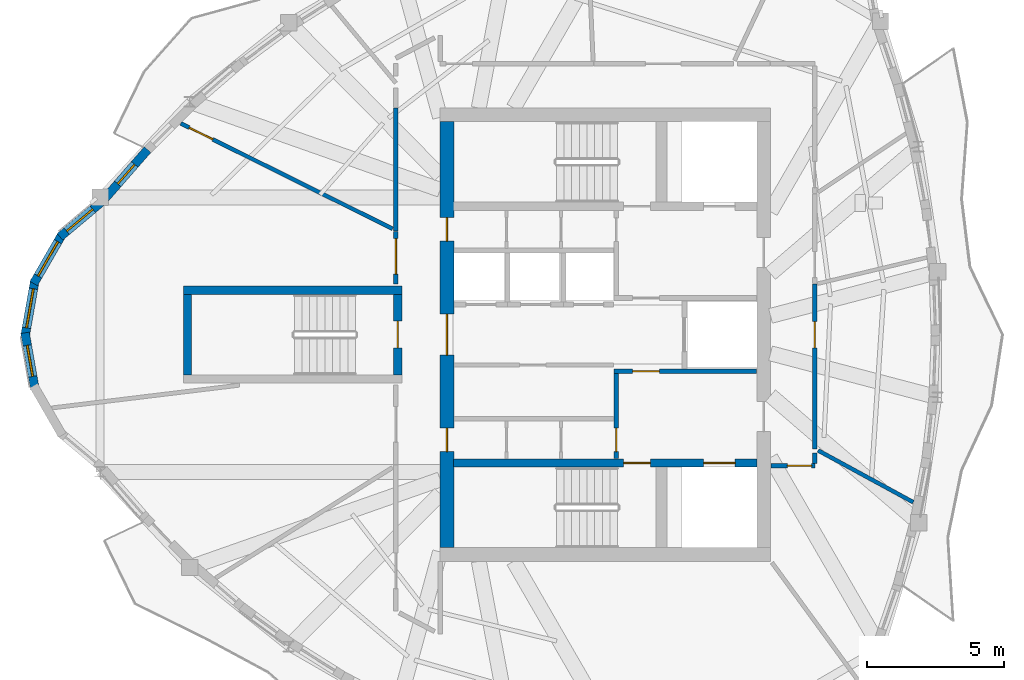
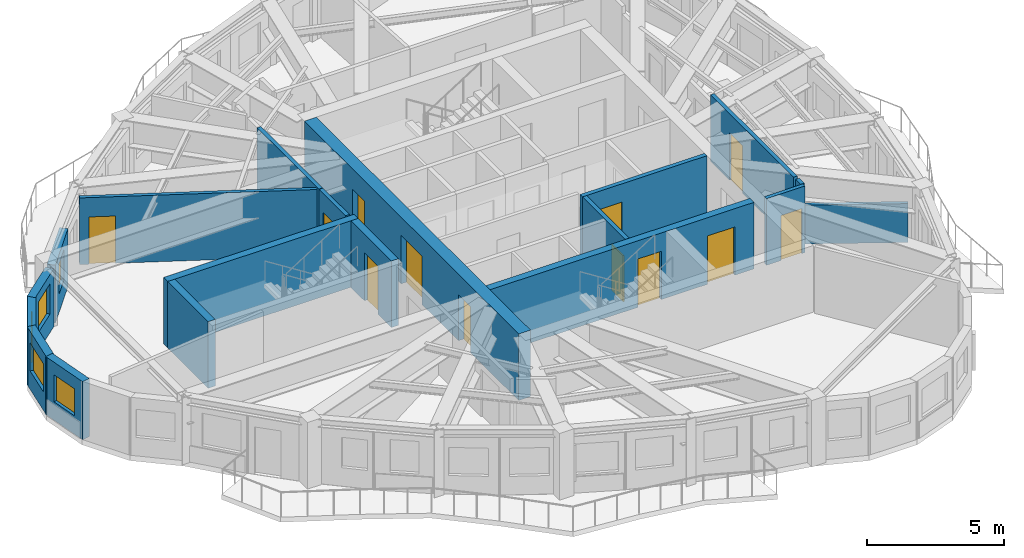
# One storey, part 4 of 11: 19 walls, 12 doors, 5 windows, 17 openings.
"""IFC4 building model written with IfcOpenShell, lengths in metres."""

import ifcopenshell
import ifcopenshell.guid

model = None  # the IFC model being written
_history = None  # IfcOwnerHistory: only IFC2X3 demands one
_inside = {}  # id of a spatial element -> (the spatial element, [elements in it])
_under = {}  # id of a project, library or spatial element -> (it, [spatial elements below it])
_declared = {}  # id of a project -> (the project, [libraries it declares])
_typed = {}  # id of a type object -> (the type object, [elements of that type])
_made_of = {}  # id of a material, layer set ... -> (it, [elements and type objects made of it])


def new_model(schema):
    """Start an empty IFC model of exactly this schema.

    Asked for "IFC4X3", IfcOpenShell would pick the latest addendum, in which some entities
    have other attributes; the version numbers below select the first issue.
    IFC2X3 requires an IfcOwnerHistory on every rooted entity: one is made here for all.
    """
    global model, _history
    if schema == "IFC4X3":
        model = ifcopenshell.file(schema_version=(4, 3, 0, 0))
    else:
        model = ifcopenshell.file(schema=schema)
    _inside.clear()
    _under.clear()
    _declared.clear()
    _typed.clear()
    _made_of.clear()
    _history = None
    if model.schema == "IFC2X3":
        org = make("IfcOrganization", Name="unknown")
        user = make(
            "IfcPersonAndOrganization",
            ThePerson=make("IfcPerson", FamilyName="unknown"),
            TheOrganization=org,
        )
        app = make(
            "IfcApplication",
            ApplicationDeveloper=org,
            Version="unknown",
            ApplicationFullName="unknown",
            ApplicationIdentifier="unknown",
        )
        _history = make(
            "IfcOwnerHistory",
            OwningUser=user,
            OwningApplication=app,
            ChangeAction="ADDED",
            CreationDate=0,
        )
    return model


def make(cls, **values):
    """One entity of the class cls with the attributes given. An attribute that is None is left unset."""
    return model.create_entity(
        cls, **{name: value for name, value in values.items() if value is not None}
    )


def rooted(cls, **values):
    """An entity with a GlobalId (a new one), such as an element, a storey or a relation."""
    return make(cls, GlobalId=ifcopenshell.guid.new(), OwnerHistory=_history, **values)


def si_unit(unit_type, name, prefix=None):
    """IfcSIUnit, for example si_unit("LENGTHUNIT", "METRE", prefix="MILLI")."""
    return make("IfcSIUnit", UnitType=unit_type, Prefix=prefix, Name=name)


def assignment(units):
    """IfcUnitAssignment: the units of a project."""
    return None if units is None else make("IfcUnitAssignment", Units=units)


def point(xyz):
    """IfcCartesianPoint."""
    return None if xyz is None else make("IfcCartesianPoint", Coordinates=xyz)


def direction(xyz):
    """IfcDirection."""
    return None if xyz is None else make("IfcDirection", DirectionRatios=xyz)


def frame(location, z_axis=None, x_axis=None):
    """IfcAxis2Placement3D, a coordinate frame: its origin and axes. An axis left out is left unset."""
    return make(
        "IfcAxis2Placement3D",
        Location=point(location),
        Axis=direction(z_axis),
        RefDirection=direction(x_axis),
    )


def frame_2d(location, x_axis=None):
    """IfcAxis2Placement2D, a coordinate frame in the plane: its origin and x axis."""
    return make(
        "IfcAxis2Placement2D", Location=point(location), RefDirection=direction(x_axis)
    )


def origin():
    """The frame at (0, 0, 0) with its axes left unset."""
    return frame((0.0, 0.0, 0.0))


def place(relative_to, where):
    """IfcLocalPlacement: puts the frame where relative to a parent placement (None: the world)."""
    return make(
        "IfcLocalPlacement", PlacementRelTo=relative_to, RelativePlacement=where
    )


def context(
    kind, dimensions, precision=None, world=None, true_north=None, identifier=None
):
    """IfcGeometricRepresentationContext, for example the 3D "Model" context."""
    return make(
        "IfcGeometricRepresentationContext",
        ContextIdentifier=identifier,
        ContextType=kind,
        CoordinateSpaceDimension=dimensions,
        Precision=precision,
        WorldCoordinateSystem=world,
        TrueNorth=true_north,
    )


def subcontext(parent, identifier, kind, view, scale=None):
    """IfcGeometricRepresentationSubContext, for example "Body" below "Model"."""
    return make(
        "IfcGeometricRepresentationSubContext",
        ContextIdentifier=identifier,
        ContextType=kind,
        ParentContext=parent,
        TargetScale=scale,
        TargetView=view,
    )


def project(units=None, contexts=None):
    """IfcProject with its units and contexts."""
    return rooted(
        "IfcProject",
        Name="project",
        RepresentationContexts=contexts,
        UnitsInContext=assignment(units),
    )


def spatial(cls, under=None, at=None, **own):
    """A site, building, storey or space (cls), placed at a placement, below another one or the project."""
    s = rooted(cls, ObjectPlacement=at, **own)
    if under is not None:
        _under.setdefault(under.id(), (under, []))[1].append(s)
    return s


def profile(cls, at=None, kind="AREA", **sizes):
    """A parametric profile (cls). Its sizes go by their IFC names, for example OverallWidth=200.0."""
    return make(cls, ProfileType=kind, Position=at, **sizes)


def rectangle(**sizes):
    """IfcRectangleProfileDef."""
    return profile("IfcRectangleProfileDef", **sizes)


def extrude(swept, where, along, depth):
    """IfcExtrudedAreaSolid: the profile swept, set in the frame where, extruded along a direction by depth."""
    return make(
        "IfcExtrudedAreaSolid",
        SweptArea=swept,
        Position=where,
        ExtrudedDirection=direction(along),
        Depth=depth,
    )


def shape(context_of_items, identifier, shape_type, items):
    """IfcShapeRepresentation: the items that make up one representation, for example the "Body"."""
    return make(
        "IfcShapeRepresentation",
        ContextOfItems=context_of_items,
        RepresentationIdentifier=identifier,
        RepresentationType=shape_type,
        Items=items,
    )


def source(mapping_origin, context_of_items, identifier, shape_type, items):
    """IfcRepresentationMap: a shape defined once, which mapped items show again and again."""
    return make(
        "IfcRepresentationMap",
        MappingOrigin=mapping_origin,
        MappedRepresentation=shape(context_of_items, identifier, shape_type, items),
    )


def transform(
    local_origin,
    x_axis=None,
    y_axis=None,
    z_axis=None,
    scale=None,
    scale2=None,
    scale3=None,
    uniform=True,
):
    """IfcCartesianTransformationOperator3D, or its non-uniform kind. x_axis, y_axis, z_axis: its Axis1, 2, 3."""
    if uniform:
        return make(
            "IfcCartesianTransformationOperator3D",
            Axis1=direction(x_axis),
            Axis2=direction(y_axis),
            LocalOrigin=point(local_origin),
            Scale=scale,
            Axis3=direction(z_axis),
        )
    return make(
        "IfcCartesianTransformationOperator3DnonUniform",
        Axis1=direction(x_axis),
        Axis2=direction(y_axis),
        LocalOrigin=point(local_origin),
        Scale=scale,
        Axis3=direction(z_axis),
        Scale2=scale2,
        Scale3=scale3,
    )


def mapped(mapping_source, mapping_target):
    """IfcMappedItem: shows the shape of a source again, moved by a transform."""
    return make(
        "IfcMappedItem", MappingSource=mapping_source, MappingTarget=mapping_target
    )


def material(Name=None, Category=None):
    """IfcMaterial."""
    return make("IfcMaterial", Name=Name, Category=Category)


def layer(
    of_material, thickness, ventilated=None, Name=None, Category=None, Priority=None
):
    """IfcMaterialLayer: one layer of a wall or slab, of a material (None: an air gap)."""
    return make(
        "IfcMaterialLayer",
        Material=of_material,
        LayerThickness=thickness,
        IsVentilated=ventilated,
        Name=Name,
        Category=Category,
        Priority=Priority,
    )


def layer_set(layers, Name=None):
    """IfcMaterialLayerSet."""
    return make("IfcMaterialLayerSet", MaterialLayers=layers, LayerSetName=Name)


def made_of(thing, what):
    """Note that an element or type object is made of a material, layer set ...; save() writes the relation."""
    if what is not None:
        _made_of.setdefault(what.id(), (what, []))[1].append(thing)
    return thing


def type_object(cls, material=None, **own):
    """A type object (cls), such as IfcWallType, which elements share."""
    return made_of(rooted(cls, **own), material)


def element(
    cls,
    number,
    at=None,
    inside=None,
    cuts=None,
    type_object=None,
    material=None,
    context=None,
    identifier="Body",
    shape_type=None,
    held_by="IfcProductDefinitionShape",
    body=None,
    shapes=None,
    **own,
):
    """One element of the class cls, such as IfcWall. Its Tag is "e" and its number.

    at: its placement. inside: the storey or other place that contains it. cuts: it is an
    opening in that element (IfcRelVoidsElement). A single representation is given by context,
    identifier, shape_type and body (its items); several are given by shapes. held_by: the class
    of the entity that holds the representations. save() writes the other relations.
    """
    e = rooted(cls, Tag="e%d" % number, ObjectPlacement=at, **own)
    if body is not None:
        shapes = [shape(context, identifier, shape_type, body)]
    if shapes is not None:
        e.Representation = make(held_by, Representations=shapes)
    if inside is not None:
        _inside.setdefault(inside.id(), (inside, []))[1].append(e)
    if cuts is not None:
        rooted(
            "IfcRelVoidsElement", RelatingBuildingElement=cuts, RelatedOpeningElement=e
        )
    if type_object is not None:
        _typed.setdefault(type_object.id(), (type_object, []))[1].append(e)
    return made_of(e, material)


def fill(opening, filler):
    """IfcRelFillsElement: the door or window that sits in an opening."""
    return rooted(
        "IfcRelFillsElement",
        RelatingOpeningElement=opening,
        RelatedBuildingElement=filler,
    )


def aggregate(whole, parts):
    """IfcRelAggregates: a whole, such as a stair, and the parts it consists of."""
    return rooted("IfcRelAggregates", RelatingObject=whole, RelatedObjects=parts)


def save(model, path):
    """Write the relations noted so far, then the file.

    IfcRelAggregates (storeys below a building ...), IfcRelContainedInSpatialStructure (elements
    in a storey), IfcRelDefinesByType, IfcRelAssociatesMaterial and IfcRelDeclares: one each for
    every whole, place, type object, material and project.
    """
    for whole, parts in _under.values():
        aggregate(whole, parts)
    for where, things in _inside.values():
        rooted(
            "IfcRelContainedInSpatialStructure",
            RelatedElements=things,
            RelatingStructure=where,
        )
    for kind, things in _typed.values():
        rooted("IfcRelDefinesByType", RelatedObjects=things, RelatingType=kind)
    for what, things in _made_of.values():
        rooted("IfcRelAssociatesMaterial", RelatedObjects=things, RelatingMaterial=what)
    for by, libraries in _declared.values():
        rooted("IfcRelDeclares", RelatingContext=by, RelatedDefinitions=libraries)
    model.write(path)


model = new_model("IFC4")

# Units and contexts
model_context = context("Model", 3, precision=1e-05, world=origin(), true_north=direction((0.0, 1.0)))
body_context = subcontext(model_context, "Body", "Model", "MODEL_VIEW")
ifc_project = project(units=[si_unit("LENGTHUNIT", "METRE"), si_unit("AREAUNIT", "SQUARE_METRE"), si_unit("VOLUMEUNIT", "CUBIC_METRE"), si_unit("PLANEANGLEUNIT", "RADIAN"), si_unit("MASSUNIT", "GRAM", prefix="KILO")], contexts=[model_context])

# Site, building, storey
site_placement = place(None, origin())
site = spatial("IfcSite", under=ifc_project, at=site_placement, CompositionType="ELEMENT")
building_placement = place(site_placement, origin())
building = spatial("IfcBuilding", under=site, at=building_placement, Name="Qafzar Sky-Pleat Residences", CompositionType="ELEMENT")
storey_placement = place(building_placement, frame((0.0, 0.0, 221.199951171875)))
storey = spatial("IfcBuildingStorey", under=building, at=storey_placement, Name="L66", CompositionType="ELEMENT", Elevation=221.199951171875)

# Wall, opening, door
ifc_material_1 = material(Name="Acoustic gypsum plasterboard partition", Category="gypsum")
ifc_layer_1 = layer(ifc_material_1, 0.159912109375)
ifc_layer_set_1 = layer_set([ifc_layer_1], Name="Acoustic gypsum plasterboard partition")
wall_type_1 = type_object("IfcWallType", Name="PART-COR-160", PredefinedType="PARTITIONING", material=ifc_layer_set_1)
wall_1_placement = place(storey_placement, frame((38.02001953125, 27.85498046875, 0.0), z_axis=(0.0, 0.0, 1.0), x_axis=(0.0, -1.0, 0.0)))
wall_1 = element("IfcWall", 1, at=wall_1_placement, inside=storey, type_object=wall_type_1, Name="L66 Partition Wall PART-L66-PW-001", PredefinedType="PARTITIONING", context=body_context, shape_type="SweptSolid", body=[
    extrude(rectangle(XDim=6.046875, YDim=0.159912109375, at=frame_2d((3.0234375, 0.0))), origin(), (0.0, 0.0, 1.0), 2.9599609375),
])
opening_1_placement = place(wall_1_placement, frame((1.3818359375, 0.0, 0.0)))
opening_1 = element("IfcOpeningElement", 2, at=opening_1_placement, cuts=wall_1, Name="Opening ID-06", PredefinedType="OPENING", context=body_context, shape_type="SweptSolid", body=[
    extrude(rectangle(XDim=0.9599609375, YDim=2.10009765625, at=frame_2d((0.47998046875, 1.050048828125))), frame((0.0, 0.08984375, 0.0), z_axis=(0.0, -1.0, 0.0), x_axis=(1.0, 0.0, 0.0)), (0.0, 0.0, 1.0), 0.179931640625),
])
ifc_material_2 = material(Name="Timber-faced fire door", Category="wood")
door_type_1 = type_object("IfcDoorType", Name="DR-STD-960", OperationType="NOTDEFINED", PredefinedType="DOOR", material=ifc_material_2)
shared_shape_1 = source(origin(), body_context, "Body", "SweptSolid", [
    extrude(rectangle(XDim=0.9599609375, YDim=2.10009765625, at=frame_2d((0.47998046875, 1.050048828125))), frame((0.0, 0.02490234375, 0.0), z_axis=(0.0, -1.0, 0.0), x_axis=(1.0, 0.0, 0.0)), (0.0, 0.0, 1.0), 0.050048828125),
])
door_1_placement = place(opening_1_placement, origin())
door_1 = element("IfcDoor", 3, at=door_1_placement, inside=storey, type_object=door_type_1, Name="L66 Media Screening Room Door", OperationType="SINGLE_SWING_RIGHT", OverallHeight=2.10009765625, OverallWidth=0.9599609375, PredefinedType="DOOR", context=body_context, shape_type="MappedRepresentation", body=[
    mapped(shared_shape_1, transform((0.0, 0.0, 0.0), x_axis=(1.0, 0.0, 0.0), y_axis=(0.0, 1.0, 0.0), z_axis=(0.0, 0.0, 1.0), scale=1.0)),
])
fill(opening_1, door_1)

# Wall
wall_2_placement = place(storey_placement, frame((22.679931640625, 29.798095703125, 0.0), z_axis=(0.0, 0.0, 1.0), x_axis=(0.0, 1.0, 0.0)))
element("IfcWall", 4, at=wall_2_placement, inside=storey, type_object=wall_type_1, Name="L66 Partition Wall PART-L66-PW-005", PredefinedType="PARTITIONING", context=body_context, shape_type="SweptSolid", body=[
    extrude(rectangle(XDim=4.501953125, YDim=0.159912109375, at=frame_2d((2.2509765625, 0.0))), origin(), (0.0, 0.0, 1.0), 2.9599609375),
])

# Wall, opening, door
wall_3_placement = place(storey_placement, frame((22.679931640625, 27.85009765625, 0.0), z_axis=(0.0, 0.0, 1.0), x_axis=(0.0, 1.0, 0.0)))
wall_3 = element("IfcWall", 5, at=wall_3_placement, inside=storey, type_object=wall_type_1, Name="L66 Partition Wall PART-L66-PW-009", PredefinedType="PARTITIONING", context=body_context, shape_type="SweptSolid", body=[
    extrude(rectangle(XDim=1.932861328125, YDim=0.159912109375, at=frame_2d((0.96630859375, 0.0))), origin(), (0.0, 0.0, 1.0), 2.9599609375),
])
opening_2_placement = place(wall_3_placement, frame((0.362060546875, 0.0, 0.0)))
opening_2 = element("IfcOpeningElement", 6, at=opening_2_placement, cuts=wall_3, Name="Opening ID-05", PredefinedType="OPENING", context=body_context, shape_type="SweptSolid", body=[
    extrude(rectangle(XDim=1.300048828125, YDim=2.10009765625, at=frame_2d((0.64990234375, 1.050048828125))), frame((0.0, 0.08984375, 0.0), z_axis=(0.0, -1.0, 0.0), x_axis=(1.0, 0.0, 0.0)), (0.0, 0.0, 1.0), 0.179931640625),
])
door_type_2 = type_object("IfcDoorType", Name="DR-LNG-1300", OperationType="DOUBLE_DOOR_SINGLE_SWING", PredefinedType="DOOR", material=ifc_material_2)
shared_shape_2 = source(origin(), body_context, "Body", "SweptSolid", [
    extrude(rectangle(XDim=1.300048828125, YDim=2.10009765625, at=frame_2d((0.64990234375, 1.050048828125))), frame((0.0, 0.02490234375, 0.0), z_axis=(0.0, -1.0, 0.0), x_axis=(1.0, 0.0, 0.0)), (0.0, 0.0, 1.0), 0.050048828125),
])
door_2_placement = place(opening_2_placement, origin())
door_2 = element("IfcDoor", 7, at=door_2_placement, inside=storey, type_object=door_type_2, Name="L66 Tutorial Huddle Room Door", OperationType="DOUBLE_DOOR_SINGLE_SWING", OverallHeight=2.10009765625, OverallWidth=1.300048828125, PredefinedType="DOOR", context=body_context, shape_type="MappedRepresentation", body=[
    mapped(shared_shape_2, transform((0.0, 0.0, 0.0), x_axis=(1.0, 0.0, 0.0), y_axis=(0.0, 1.0, 0.0), z_axis=(0.0, 0.0, 1.0), scale=1.0)),
])
fill(opening_2, door_2)

wall_4_placement = place(storey_placement, frame((38.02001953125, 21.199951171875, 0.0), z_axis=(0.0, 0.0, 1.0), x_axis=(-1.0, 0.0, 0.0)))
wall_4 = element("IfcWall", 8, at=wall_4_placement, inside=storey, type_object=wall_type_1, Name="L66 Partition Wall PART-L66-PW-010", PredefinedType="PARTITIONING", context=body_context, shape_type="SweptSolid", body=[
    extrude(rectangle(XDim=1.612060546875, YDim=0.159912109375, at=frame_2d((0.80615234375, 0.0))), origin(), (0.0, 0.0, 1.0), 2.9599609375),
])
opening_3_placement = place(wall_4_placement, frame((0.1201171875, 0.0, 0.0)))
opening_3 = element("IfcOpeningElement", 9, at=opening_3_placement, cuts=wall_4, Name="Opening ID-11", PredefinedType="OPENING", context=body_context, shape_type="SweptSolid", body=[
    extrude(rectangle(XDim=0.8798828125, YDim=2.0, at=frame_2d((0.43994140625, 1.0))), frame((0.0, 0.08984375, 0.0), z_axis=(0.0, -1.0, 0.0), x_axis=(1.0, 0.0, 0.0)), (0.0, 0.0, 1.0), 0.179931640625),
])
door_type_3 = type_object("IfcDoorType", Name="DR-LOW-2000", OperationType="NOTDEFINED", PredefinedType="DOOR", material=ifc_material_2)
shared_shape_3 = source(origin(), body_context, "Body", "SweptSolid", [
    extrude(rectangle(XDim=0.8798828125, YDim=2.0, at=frame_2d((0.43994140625, 1.0))), frame((0.0, 0.02490234375, 0.0), z_axis=(0.0, -1.0, 0.0), x_axis=(1.0, 0.0, 0.0)), (0.0, 0.0, 1.0), 0.050048828125),
])
door_3_placement = place(opening_3_placement, origin())
door_3 = element("IfcDoor", 10, at=door_3_placement, inside=storey, type_object=door_type_3, Name="L66 Music Practice Room Door", OperationType="SINGLE_SWING_LEFT", OverallHeight=2.0, OverallWidth=0.8798828125, PredefinedType="DOOR", context=body_context, shape_type="MappedRepresentation", body=[
    mapped(shared_shape_3, transform((0.0, 0.0, 0.0), x_axis=(1.0, 0.0, 0.0), y_axis=(0.0, 1.0, 0.0), z_axis=(0.0, 0.0, 1.0), scale=1.0)),
])
fill(opening_3, door_3)

# Wall
wall_5_placement = place(storey_placement, frame((38.02001953125, 21.2880859375, 0.0), z_axis=(0.0, 0.0, 1.0), x_axis=(0.0, 1.0, 0.0)))
element("IfcWall", 11, at=wall_5_placement, inside=storey, type_object=wall_type_1, Name="L66 Partition Wall PART-L66-PW-030", PredefinedType="PARTITIONING", context=body_context, shape_type="SweptSolid", body=[
    extrude(rectangle(XDim=0.370849609375, YDim=0.159912109375, at=frame_2d((0.185546875, 0.0))), origin(), (0.0, 0.0, 1.0), 2.9599609375),
])

# Wall, opening, door
ifc_material_3 = material(Name="Concrete blockwork partition", Category="masonry")
ifc_layer_2 = layer(ifc_material_3, 0.179931640625)
ifc_layer_set_2 = layer_set([ifc_layer_2], Name="Concrete blockwork partition")
wall_type_2 = type_object("IfcWallType", Name="PART-SHAFT-180", PredefinedType="PARTITIONING", material=ifc_layer_set_2)
wall_6_placement = place(storey_placement, frame((30.75, 21.4599609375, 0.0), z_axis=(0.0, 0.0, 1.0), x_axis=(0.0, 1.0, 0.0)))
wall_6 = element("IfcWall", 12, at=wall_6_placement, inside=storey, type_object=wall_type_2, Name="L66 Partition Wall PART-L66-FFL1-W", PredefinedType="PARTITIONING", context=body_context, shape_type="SweptSolid", body=[
    extrude(rectangle(XDim=3.110107421875, YDim=0.179931640625, at=frame_2d((1.55517578125, 0.0))), origin(), (0.0, 0.0, 1.0), 2.9599609375),
])
opening_4_placement = place(wall_6_placement, frame((0.260009765625, 0.0, 0.0)))
opening_4 = element("IfcOpeningElement", 13, at=opening_4_placement, cuts=wall_6, Name="Opening ID-09", PredefinedType="OPENING", context=body_context, shape_type="SweptSolid", body=[
    extrude(rectangle(XDim=0.860107421875, YDim=2.050048828125, at=frame_2d((0.43017578125, 1.02490234375))), frame((0.0, 0.10009765625, 0.0), z_axis=(0.0, -1.0, 0.0), x_axis=(1.0, 0.0, 0.0)), (0.0, 0.0, 1.0), 0.199951171875),
])
door_type_4 = type_object("IfcDoorType", Name="DR-SVC-860", OperationType="NOTDEFINED", PredefinedType="DOOR", material=ifc_material_2)
shared_shape_4 = source(origin(), body_context, "Body", "SweptSolid", [
    extrude(rectangle(XDim=0.860107421875, YDim=2.050048828125, at=frame_2d((0.43017578125, 1.02490234375))), frame((0.0, 0.02490234375, 0.0), z_axis=(0.0, -1.0, 0.0), x_axis=(1.0, 0.0, 0.0)), (0.0, 0.0, 1.0), 0.050048828125),
])
door_4_placement = place(opening_4_placement, origin())
door_4 = element("IfcDoor", 14, at=door_4_placement, inside=storey, type_object=door_type_4, Name="L66 South Core Cupboard Door", OperationType="SINGLE_SWING_LEFT", OverallHeight=2.050048828125, OverallWidth=0.860107421875, PredefinedType="DOOR", context=body_context, shape_type="MappedRepresentation", body=[
    mapped(shared_shape_4, transform((0.0, 0.0, 0.0), x_axis=(1.0, 0.0, 0.0), y_axis=(0.0, 1.0, 0.0), z_axis=(0.0, 0.0, 1.0), scale=1.0)),
])
fill(opening_4, door_4)

wall_7_placement = place(storey_placement, frame((30.669921875, 24.659912109375, 0.0), z_axis=(0.0, 0.0, 1.0), x_axis=(1.0, 0.0, 0.0)))
wall_7 = element("IfcWall", 15, at=wall_7_placement, inside=storey, type_object=wall_type_2, Name="L66 Partition Wall PART-L66-FFL1-N", PredefinedType="PARTITIONING", context=body_context, shape_type="SweptSolid", body=[
    extrude(rectangle(XDim=5.219970703125, YDim=0.179931640625, at=frame_2d((2.60986328125, 0.0))), origin(), (0.0, 0.0, 1.0), 2.9599609375),
])
opening_5_placement = place(wall_7_placement, frame((0.679931640625, 0.0, 0.0)))
opening_5 = element("IfcOpeningElement", 16, at=opening_5_placement, cuts=wall_7, Name="Opening ID-01", PredefinedType="OPENING", context=body_context, shape_type="SweptSolid", body=[
    extrude(rectangle(XDim=0.97998046875, YDim=2.14990234375, at=frame_2d((0.489990234375, 1.074951171875))), frame((0.0, 0.10009765625, 0.0), z_axis=(0.0, -1.0, 0.0), x_axis=(1.0, 0.0, 0.0)), (0.0, 0.0, 1.0), 0.199951171875),
])
door_type_5 = type_object("IfcDoorType", Name="DR-STAIR-980", OperationType="NOTDEFINED", PredefinedType="DOOR", material=ifc_material_2)
shared_shape_5 = source(origin(), body_context, "Body", "SweptSolid", [
    extrude(rectangle(XDim=0.97998046875, YDim=2.14990234375, at=frame_2d((0.489990234375, 1.074951171875))), frame((0.0, 0.02490234375, 0.0), z_axis=(0.0, -1.0, 0.0), x_axis=(1.0, 0.0, 0.0)), (0.0, 0.0, 1.0), 0.050048828125),
])
door_5_placement = place(opening_5_placement, origin())
door_5 = element("IfcDoor", 17, at=door_5_placement, inside=storey, type_object=door_type_5, Name="L66 Lift Lobby to South Firefighting Lobby Door", OperationType="SINGLE_SWING_RIGHT", OverallHeight=2.14990234375, OverallWidth=0.97998046875, PredefinedType="DOOR", context=body_context, shape_type="MappedRepresentation", body=[
    mapped(shared_shape_5, transform((0.0, 0.0, 0.0), x_axis=(1.0, 0.0, 0.0), y_axis=(0.0, 1.0, 0.0), z_axis=(0.0, 0.0, 1.0), scale=1.0)),
])
fill(opening_5, door_5)

ifc_layer_3 = layer(ifc_material_1, 0.14501953125)
ifc_layer_set_3 = layer_set([ifc_layer_3], Name="Acoustic gypsum plasterboard partition")
wall_type_3 = type_object("IfcWallType", Name="PART-UNIT-145", PredefinedType="PARTITIONING", material=ifc_layer_set_3)
wall_8_placement = place(storey_placement, frame((14.801513671875, 33.73388671875, 0.0), z_axis=(0.0, 0.0, 1.0), x_axis=(0.895354955696, -0.445353234311, 0.0)))
wall_8 = element("IfcWall", 18, at=wall_8_placement, inside=storey, type_object=wall_type_3, Name="L66 Partition Wall PART-L66-PW-011", PredefinedType="PARTITIONING", context=body_context, shape_type="SweptSolid", body=[
    extrude(rectangle(XDim=8.665771484375, YDim=0.14501953125, at=frame_2d((4.3330078125, 0.0))), origin(), (0.0, 0.0, 1.0), 2.9599609375),
])
opening_6_placement = place(wall_8_placement, frame((0.35009765625, 0.0, 0.0)))
opening_6 = element("IfcOpeningElement", 19, at=opening_6_placement, cuts=wall_8, Name="Opening ID-06", PredefinedType="OPENING", context=body_context, shape_type="SweptSolid", body=[
    extrude(rectangle(XDim=0.9599609375, YDim=2.10009765625, at=frame_2d((0.47998046875, 1.050048828125))), frame((0.0, 0.08251953125, 0.0), z_axis=(0.0, -1.0, 0.0), x_axis=(1.0, 0.0, 0.0)), (0.0, 0.0, 1.0), 0.1650390625),
])
door_6_placement = place(opening_6_placement, origin())
door_6 = element("IfcDoor", 20, at=door_6_placement, inside=storey, type_object=door_type_1, Name="L66 Wellness Yoga Studio Door", OperationType="SINGLE_SWING_RIGHT", OverallHeight=2.10009765625, OverallWidth=0.9599609375, PredefinedType="DOOR", context=body_context, shape_type="MappedRepresentation", body=[
    mapped(shared_shape_1, transform((0.0, 0.0, 0.0), x_axis=(1.0, 0.0, 0.0), y_axis=(0.0, 1.0, 0.0), z_axis=(0.0, 0.0, 1.0), scale=1.0)),
])
fill(opening_6, door_6)

# Wall
wall_9_placement = place(storey_placement, frame((38.1416015625, 21.7587890625, 0.0), z_axis=(0.0, 0.0, 1.0), x_axis=(0.878323390095, -0.478066964359, 0.0)))
element("IfcWall", 21, at=wall_9_placement, inside=storey, type_object=wall_type_3, Name="L66 Partition Wall PART-L66-PW-018", PredefinedType="PARTITIONING", context=body_context, shape_type="SweptSolid", body=[
    extrude(rectangle(XDim=3.966064453125, YDim=0.14501953125, at=frame_2d((1.98291015625, 0.0))), origin(), (0.0, 0.0, 1.0), 1.72802734375),
])

# Wall, opening, window
ifc_material_4 = material(Name="Precast concrete C40/50 with honed Riyadh limestone", Category="concrete")
ifc_layer_4 = layer(ifc_material_4, 0.320068359375)
ifc_layer_set_4 = layer_set([ifc_layer_4], Name="Precast concrete C40/50 with honed Riyadh limestone")
wall_type_4 = type_object("IfcWallType", Name="WALL-EXT-320", PredefinedType="SOLIDWALL", material=ifc_layer_set_4)
wall_10_placement = place(storey_placement, frame((11.8837890625, 30.842529296875, 0.0), z_axis=(0.0, 0.0, 1.0), x_axis=(-0.76606505432, -0.642763045414, 0.0)))
wall_10 = element("IfcWall", 22, at=wall_10_placement, inside=storey, type_object=wall_type_4, Name="L66 Limestone Facade Wall 1", PredefinedType="SOLIDWALL", context=body_context, shape_type="SweptSolid", body=[
    extrude(rectangle(XDim=1.962158203125, YDim=0.320068359375, at=frame_2d((0.98095703125, 0.0))), origin(), (0.0, 0.0, 1.0), 2.580078125),
])
opening_7_placement = place(wall_10_placement, frame((0.39111328125, 0.0, 0.820068359375)))
opening_7 = element("IfcOpeningElement", 23, at=opening_7_placement, cuts=wall_10, Name="Opening WN-11", PredefinedType="OPENING", context=body_context, shape_type="SweptSolid", body=[
    extrude(rectangle(XDim=1.25, YDim=1.35009765625, at=frame_2d((0.625, 0.675048828125))), frame((0.0, 0.169921875, 0.0), z_axis=(0.0, -1.0, 0.0), x_axis=(1.0, 0.0, 0.0)), (0.0, 0.0, 1.0), 0.340087890625),
])
ifc_material_5 = material(Name="Solar-control low-E glass in bronze aluminium frame", Category="glass")
window_type_1 = type_object("IfcWindowType", Name="WIN-11", PartitioningType="SINGLE_PANEL", PredefinedType="WINDOW", material=ifc_material_5)
shared_shape_6 = source(origin(), body_context, "Body", "SweptSolid", [
    extrude(rectangle(XDim=1.25, YDim=1.35009765625, at=frame_2d((0.625, 0.675048828125))), frame((0.0, 0.030029296875, 0.0), z_axis=(0.0, -1.0, 0.0), x_axis=(1.0, 0.0, 0.0)), (0.0, 0.0, 1.0), 0.06005859375),
])
window_1_placement = place(opening_7_placement, origin())
window_1 = element("IfcWindow", 24, at=window_1_placement, inside=storey, type_object=window_type_1, Name="L66 Punched Facade Window 01", OverallHeight=1.35009765625, OverallWidth=1.25, PartitioningType="SINGLE_PANEL", PredefinedType="WINDOW", context=body_context, shape_type="MappedRepresentation", body=[
    mapped(shared_shape_6, transform((0.0, 0.0, 0.0), x_axis=(1.0, 0.0, 0.0), y_axis=(0.0, 1.0, 0.0), z_axis=(0.0, 0.0, 1.0), scale=1.0)),
])
fill(opening_7, window_1)

wall_11_placement = place(storey_placement, frame((10.464599609375, 29.68115234375, 0.0), z_axis=(0.0, 0.0, 1.0), x_axis=(-0.499995423472, -0.866028046028, 0.0)))
wall_11 = element("IfcWall", 25, at=wall_11_placement, inside=storey, type_object=wall_type_4, Name="L66 Limestone Facade Wall 2", PredefinedType="SOLIDWALL", context=body_context, shape_type="SweptSolid", body=[
    extrude(rectangle(XDim=2.09033203125, YDim=0.320068359375, at=frame_2d((1.045166015625, 0.0))), origin(), (0.0, 0.0, 1.0), 2.580078125),
])
opening_8_placement = place(wall_11_placement, frame((0.3203125, 0.0, 0.820068359375)))
opening_8 = element("IfcOpeningElement", 26, at=opening_8_placement, cuts=wall_11, Name="Opening WN-15", PredefinedType="OPENING", context=body_context, shape_type="SweptSolid", body=[
    extrude(rectangle(XDim=1.449951171875, YDim=1.25, at=frame_2d((0.72509765625, 0.625))), frame((0.0, 0.169921875, 0.0), z_axis=(0.0, -1.0, 0.0), x_axis=(1.0, 0.0, 0.0)), (0.0, 0.0, 1.0), 0.340087890625),
])
window_type_2 = type_object("IfcWindowType", Name="WIN-15", PartitioningType="SINGLE_PANEL", PredefinedType="WINDOW", material=ifc_material_5)
shared_shape_7 = source(origin(), body_context, "Body", "SweptSolid", [
    extrude(rectangle(XDim=1.449951171875, YDim=1.25, at=frame_2d((0.72509765625, 0.625))), frame((0.0, 0.030029296875, 0.0), z_axis=(0.0, -1.0, 0.0), x_axis=(1.0, 0.0, 0.0)), (0.0, 0.0, 1.0), 0.06005859375),
])
window_2_placement = place(opening_8_placement, origin())
window_2 = element("IfcWindow", 27, at=window_2_placement, inside=storey, type_object=window_type_2, Name="L66 Punched Facade Window 02", OverallHeight=1.25, OverallWidth=1.449951171875, PartitioningType="SINGLE_PANEL", PredefinedType="WINDOW", context=body_context, shape_type="MappedRepresentation", body=[
    mapped(shared_shape_7, transform((0.0, 0.0, 0.0), x_axis=(1.0, 0.0, 0.0), y_axis=(0.0, 1.0, 0.0), z_axis=(0.0, 0.0, 1.0), scale=1.0)),
])
fill(opening_8, window_2)

wall_12_placement = place(storey_placement, frame((9.464111328125, 27.993408203125, 0.0), z_axis=(0.0, 0.0, 1.0), x_axis=(-0.173672066494, -0.984803540469, 0.0)))
wall_12 = element("IfcWall", 28, at=wall_12_placement, inside=storey, type_object=wall_type_4, Name="L66 Limestone Facade Wall 3", PredefinedType="SOLIDWALL", context=body_context, shape_type="SweptSolid", body=[
    extrude(rectangle(XDim=2.09033203125, YDim=0.320068359375, at=frame_2d((1.045166015625, 0.0))), origin(), (0.0, 0.0, 1.0), 2.580078125),
])
opening_9_placement = place(wall_12_placement, frame((0.3203125, 0.0, 0.820068359375)))
opening_9 = element("IfcOpeningElement", 29, at=opening_9_placement, cuts=wall_12, Name="Opening WN-15", PredefinedType="OPENING", context=body_context, shape_type="SweptSolid", body=[
    extrude(rectangle(XDim=1.449951171875, YDim=1.25, at=frame_2d((0.72509765625, 0.625))), frame((0.0, 0.169921875, 0.0), z_axis=(0.0, -1.0, 0.0), x_axis=(1.0, 0.0, 0.0)), (0.0, 0.0, 1.0), 0.340087890625),
])
window_3_placement = place(opening_9_placement, origin())
window_3 = element("IfcWindow", 30, at=window_3_placement, inside=storey, type_object=window_type_2, Name="L66 Punched Facade Window 03", OverallHeight=1.25, OverallWidth=1.449951171875, PartitioningType="SINGLE_PANEL", PredefinedType="WINDOW", context=body_context, shape_type="MappedRepresentation", body=[
    mapped(shared_shape_7, transform((0.0, 0.0, 0.0), x_axis=(1.0, 0.0, 0.0), y_axis=(0.0, 1.0, 0.0), z_axis=(0.0, 0.0, 1.0), scale=1.0)),
])
fill(opening_9, window_3)

wall_13_placement = place(storey_placement, frame((9.10107421875, 26.065185546875, 0.0), z_axis=(0.0, 0.0, 1.0), x_axis=(0.173672066494, -0.984803540469, 0.0)))
wall_13 = element("IfcWall", 31, at=wall_13_placement, inside=storey, type_object=wall_type_4, Name="L66 Limestone Facade Wall 4", PredefinedType="SOLIDWALL", context=body_context, shape_type="SweptSolid", body=[
    extrude(rectangle(XDim=2.09033203125, YDim=0.320068359375, at=frame_2d((1.045166015625, 0.0))), origin(), (0.0, 0.0, 1.0), 2.580078125),
])
opening_10_placement = place(wall_13_placement, frame((0.47021484375, 0.0, 0.820068359375)))
opening_10 = element("IfcOpeningElement", 32, at=opening_10_placement, cuts=wall_13, Name="Opening WN-16", PredefinedType="OPENING", context=body_context, shape_type="SweptSolid", body=[
    extrude(rectangle(XDim=1.14990234375, YDim=1.199951171875, at=frame_2d((0.574951171875, 0.60009765625))), frame((0.0, 0.169921875, 0.0), z_axis=(0.0, -1.0, 0.0), x_axis=(1.0, 0.0, 0.0)), (0.0, 0.0, 1.0), 0.340087890625),
])
window_type_3 = type_object("IfcWindowType", Name="WIN-16", PartitioningType="SINGLE_PANEL", PredefinedType="WINDOW", material=ifc_material_5)
shared_shape_8 = source(origin(), body_context, "Body", "SweptSolid", [
    extrude(rectangle(XDim=1.14990234375, YDim=1.199951171875, at=frame_2d((0.574951171875, 0.60009765625))), frame((0.0, 0.030029296875, 0.0), z_axis=(0.0, -1.0, 0.0), x_axis=(1.0, 0.0, 0.0)), (0.0, 0.0, 1.0), 0.06005859375),
])
window_4_placement = place(opening_10_placement, origin())
window_4 = element("IfcWindow", 33, at=window_4_placement, inside=storey, type_object=window_type_3, Name="L66 Punched Facade Window 04", OverallHeight=1.199951171875, OverallWidth=1.14990234375, PartitioningType="SINGLE_PANEL", PredefinedType="WINDOW", context=body_context, shape_type="MappedRepresentation", body=[
    mapped(shared_shape_8, transform((0.0, 0.0, 0.0), x_axis=(1.0, 0.0, 0.0), y_axis=(0.0, 1.0, 0.0), z_axis=(0.0, 0.0, 1.0), scale=1.0)),
])
fill(opening_10, window_4)

wall_14_placement = place(storey_placement, frame((13.590576171875, 32.773681640625, 0.0), z_axis=(0.0, 0.0, 1.0), x_axis=(-0.657601126926, -0.753366283999, 0.0)))
wall_14 = element("IfcWall", 34, at=wall_14_placement, inside=storey, type_object=wall_type_4, Name="L66 Limestone Facade Wall 48", PredefinedType="SOLIDWALL", context=body_context, shape_type="SweptSolid", body=[
    extrude(rectangle(XDim=2.37353515625, YDim=0.320068359375, at=frame_2d((1.186767578125, 0.0))), origin(), (0.0, 0.0, 1.0), 2.580078125),
])
opening_11_placement = place(wall_14_placement, frame((0.716796875, 0.0, 0.820068359375)))
opening_11 = element("IfcOpeningElement", 35, at=opening_11_placement, cuts=wall_14, Name="Opening WN-12", PredefinedType="OPENING", context=body_context, shape_type="SweptSolid", body=[
    extrude(rectangle(XDim=0.949951171875, YDim=1.35009765625, at=frame_2d((0.47509765625, 0.675048828125))), frame((0.0, 0.169921875, 0.0), z_axis=(0.0, -1.0, 0.0), x_axis=(1.0, 0.0, 0.0)), (0.0, 0.0, 1.0), 0.340087890625),
])
window_type_4 = type_object("IfcWindowType", Name="WIN-12", PartitioningType="SINGLE_PANEL", PredefinedType="WINDOW", material=ifc_material_5)
shared_shape_9 = source(origin(), body_context, "Body", "SweptSolid", [
    extrude(rectangle(XDim=0.949951171875, YDim=1.35009765625, at=frame_2d((0.47509765625, 0.675048828125))), frame((0.0, 0.030029296875, 0.0), z_axis=(0.0, -1.0, 0.0), x_axis=(1.0, 0.0, 0.0)), (0.0, 0.0, 1.0), 0.06005859375),
])
window_5_placement = place(opening_11_placement, origin())
window_5 = element("IfcWindow", 36, at=window_5_placement, inside=storey, type_object=window_type_4, Name="L66 Punched Facade Window 48", OverallHeight=1.35009765625, OverallWidth=0.949951171875, PartitioningType="SINGLE_PANEL", PredefinedType="WINDOW", context=body_context, shape_type="MappedRepresentation", body=[
    mapped(shared_shape_9, transform((0.0, 0.0, 0.0), x_axis=(1.0, 0.0, 0.0), y_axis=(0.0, 1.0, 0.0), z_axis=(0.0, 0.0, 1.0), scale=1.0)),
])
fill(opening_11, window_5)

# Wall, openings, doors
ifc_material_6 = material(Name="Concrete C60/75", Category="concrete")
ifc_layer_5 = layer(ifc_material_6, 0.300048828125)
ifc_layer_set_5 = layer_set([ifc_layer_5], Name="Concrete C60/75")
wall_type_5 = type_object("IfcWallType", Name="WALL-SHEAR-300", PredefinedType="SHEAR", material=ifc_layer_set_5)
wall_15_placement = place(storey_placement, frame((24.800048828125, 21.300048828125, 0.0), z_axis=(0.0, 0.0, 1.0), x_axis=(1.0, 0.0, 0.0)))
wall_15 = element("IfcWall", 37, at=wall_15_placement, inside=storey, type_object=wall_type_5, Name="L66 Stair ST1 and FF1 Shaft North Wall", PredefinedType="SHEAR", context=body_context, shape_type="SweptSolid", body=[
    extrude(rectangle(XDim=11.099853515625, YDim=0.300048828125, at=frame_2d((5.5498046875, 0.0))), origin(), (0.0, 0.0, 1.0), 2.9599609375),
])
opening_12_placement = place(wall_15_placement, frame((6.219970703125, 0.0, 0.0)))
opening_12 = element("IfcOpeningElement", 38, at=opening_12_placement, cuts=wall_15, Name="Opening ID-01", PredefinedType="OPENING", context=body_context, shape_type="SweptSolid", body=[
    extrude(rectangle(XDim=0.97998046875, YDim=2.14990234375, at=frame_2d((0.489990234375, 1.074951171875))), frame((0.0, 0.16015625, 0.0), z_axis=(0.0, -1.0, 0.0), x_axis=(1.0, 0.0, 0.0)), (0.0, 0.0, 1.0), 0.320068359375),
])
opening_13_placement = place(wall_15_placement, frame((9.14990234375, 0.0, 0.0)))
opening_13 = element("IfcOpeningElement", 39, at=opening_13_placement, cuts=wall_15, Name="Opening LD-02", PredefinedType="OPENING", context=body_context, shape_type="SweptSolid", body=[
    extrude(rectangle(XDim=1.14990234375, YDim=2.14990234375, at=frame_2d((0.574951171875, 1.074951171875))), frame((0.0, 0.16015625, 0.0), z_axis=(0.0, -1.0, 0.0), x_axis=(1.0, 0.0, 0.0)), (0.0, 0.0, 1.0), 0.320068359375),
])
door_7_placement = place(opening_12_placement, origin())
door_7 = element("IfcDoor", 40, at=door_7_placement, inside=storey, type_object=door_type_5, Name="L66 Stair ST1 Fire Door", OperationType="SINGLE_SWING_RIGHT", OverallHeight=2.14990234375, OverallWidth=0.97998046875, PredefinedType="DOOR", context=body_context, shape_type="MappedRepresentation", body=[
    mapped(shared_shape_5, transform((0.0, 0.0, 0.0), x_axis=(1.0, 0.0, 0.0), y_axis=(0.0, 1.0, 0.0), z_axis=(0.0, 0.0, 1.0), scale=1.0)),
])
fill(opening_12, door_7)
ifc_material_7 = material(Name="Stainless steel sliding landing door", Category="steel")
door_type_6 = type_object("IfcDoorType", Name="DR-LIFT-FF", OperationType="DOUBLE_DOOR_SLIDING", PredefinedType="DOOR", material=ifc_material_7)
shared_shape_10 = source(origin(), body_context, "Body", "SweptSolid", [
    extrude(rectangle(XDim=1.14990234375, YDim=2.14990234375, at=frame_2d((0.574951171875, 1.074951171875))), frame((0.0, 0.02490234375, 0.0), z_axis=(0.0, -1.0, 0.0), x_axis=(1.0, 0.0, 0.0)), (0.0, 0.0, 1.0), 0.050048828125),
])
door_8_placement = place(opening_13_placement, origin())
door_8 = element("IfcDoor", 41, at=door_8_placement, inside=storey, type_object=door_type_6, Name="L66 Firefighting Lift FF1 Landing Door", OperationType="DOUBLE_DOOR_SLIDING", OverallHeight=2.14990234375, OverallWidth=1.14990234375, PredefinedType="DOOR", context=body_context, shape_type="MappedRepresentation", body=[
    mapped(shared_shape_10, transform((0.0, 0.0, 0.0), x_axis=(1.0, 0.0, 0.0), y_axis=(0.0, 1.0, 0.0), z_axis=(0.0, 0.0, 1.0), scale=1.0)),
])
fill(opening_13, door_8)

# Walls
wall_16_placement = place(storey_placement, frame((22.89990234375, 27.625, 0.0), z_axis=(0.0, 0.0, 1.0), x_axis=(-1.0, 0.0, 0.0)))
element("IfcWall", 42, at=wall_16_placement, inside=storey, type_object=wall_type_5, Name="L66 ST3 wall N", PredefinedType="SHEAR", context=body_context, shape_type="SweptSolid", body=[
    extrude(rectangle(XDim=8.0, YDim=0.300048828125, at=frame_2d((4.0, 0.0))), origin(), (0.0, 0.0, 1.0), 2.9599609375),
])
wall_17_placement = place(storey_placement, frame((15.050048828125, 27.47509765625, 0.0), z_axis=(0.0, 0.0, 1.0), x_axis=(0.0, -1.0, 0.0)))
element("IfcWall", 43, at=wall_17_placement, inside=storey, type_object=wall_type_5, Name="L66 ST3 wall W", PredefinedType="SHEAR", context=body_context, shape_type="SweptSolid", body=[
    extrude(rectangle(XDim=2.9501953125, YDim=0.300048828125, at=frame_2d((1.47509765625, 0.0))), origin(), (0.0, 0.0, 1.0), 2.9599609375),
])

# Wall, opening, door
wall_18_placement = place(storey_placement, frame((22.75, 24.52490234375, 0.0), z_axis=(0.0, 0.0, 1.0), x_axis=(0.0, 1.0, 0.0)))
wall_18 = element("IfcWall", 44, at=wall_18_placement, inside=storey, type_object=wall_type_5, Name="L66 ST3 wall E", PredefinedType="SHEAR", context=body_context, shape_type="SweptSolid", body=[
    extrude(rectangle(XDim=2.9501953125, YDim=0.300048828125, at=frame_2d((1.47509765625, 0.0))), origin(), (0.0, 0.0, 1.0), 2.9599609375),
])
opening_14_placement = place(wall_18_placement, frame((0.985107421875, 0.0, 0.0)))
opening_14 = element("IfcOpeningElement", 45, at=opening_14_placement, cuts=wall_18, Name="Opening ID-01", PredefinedType="OPENING", context=body_context, shape_type="SweptSolid", body=[
    extrude(rectangle(XDim=0.97998046875, YDim=2.14990234375, at=frame_2d((0.489990234375, 1.074951171875))), frame((0.0, 0.16015625, 0.0), z_axis=(0.0, -1.0, 0.0), x_axis=(1.0, 0.0, 0.0)), (0.0, 0.0, 1.0), 0.320068359375),
])
door_9_placement = place(opening_14_placement, origin())
door_9 = element("IfcDoor", 46, at=door_9_placement, inside=storey, type_object=door_type_5, Name="L66 Stair ST3 Fire Door", OperationType="SINGLE_SWING_RIGHT", OverallHeight=2.14990234375, OverallWidth=0.97998046875, PredefinedType="DOOR", context=body_context, shape_type="MappedRepresentation", body=[
    mapped(shared_shape_5, transform((0.0, 0.0, 0.0), x_axis=(1.0, 0.0, 0.0), y_axis=(0.0, 1.0, 0.0), z_axis=(0.0, 0.0, 1.0), scale=1.0)),
])
fill(opening_14, door_9)

# Wall, openings, doors
ifc_layer_6 = layer(ifc_material_6, 0.5)
ifc_layer_set_6 = layer_set([ifc_layer_6], Name="Concrete C60/75")
wall_type_6 = type_object("IfcWallType", Name="WALL-SHEAR-500", PredefinedType="SHEAR", material=ifc_layer_set_6)
wall_19_placement = place(storey_placement, frame((24.550048828125, 33.800048828125, 0.0), z_axis=(0.0, 0.0, 1.0), x_axis=(0.0, -1.0, 0.0)))
wall_19 = element("IfcWall", 47, at=wall_19_placement, inside=storey, type_object=wall_type_6, Name="L66 CORE wall W", PredefinedType="SHEAR", context=body_context, shape_type="SweptSolid", body=[
    extrude(rectangle(XDim=15.60009765625, YDim=0.5, at=frame_2d((7.800048828125, 0.0))), origin(), (0.0, 0.0, 1.0), 2.9599609375),
])
opening_15_placement = place(wall_19_placement, frame((7.050048828125, 0.0, 0.0)))
opening_15 = element("IfcOpeningElement", 48, at=opening_15_placement, cuts=wall_19, Name="Opening ID-03", PredefinedType="OPENING", context=body_context, shape_type="SweptSolid", body=[
    extrude(rectangle(XDim=1.5, YDim=2.14990234375, at=frame_2d((0.75, 1.074951171875))), frame((0.0, 0.260009765625, 0.0), z_axis=(0.0, -1.0, 0.0), x_axis=(1.0, 0.0, 0.0)), (0.0, 0.0, 1.0), 0.52001953125),
])
opening_16_placement = place(wall_19_placement, frame((3.52001953125, 0.0, 0.0)))
opening_16 = element("IfcOpeningElement", 49, at=opening_16_placement, cuts=wall_19, Name="Opening ID-09", PredefinedType="OPENING", context=body_context, shape_type="SweptSolid", body=[
    extrude(rectangle(XDim=0.860107421875, YDim=2.050048828125, at=frame_2d((0.43017578125, 1.02490234375))), frame((0.0, 0.260009765625, 0.0), z_axis=(0.0, -1.0, 0.0), x_axis=(1.0, 0.0, 0.0)), (0.0, 0.0, 1.0), 0.52001953125),
])
opening_17_placement = place(wall_19_placement, frame((11.219970703125, 0.0, 0.0)))
opening_17 = element("IfcOpeningElement", 50, at=opening_17_placement, cuts=wall_19, Name="Opening ID-09", PredefinedType="OPENING", context=body_context, shape_type="SweptSolid", body=[
    extrude(rectangle(XDim=0.860107421875, YDim=2.050048828125, at=frame_2d((0.43017578125, 1.02490234375))), frame((0.0, 0.260009765625, 0.0), z_axis=(0.0, -1.0, 0.0), x_axis=(1.0, 0.0, 0.0)), (0.0, 0.0, 1.0), 0.52001953125),
])
door_type_7 = type_object("IfcDoorType", Name="DR-COR-1500", OperationType="DOUBLE_DOOR_SINGLE_SWING", PredefinedType="DOOR", material=ifc_material_2)
shared_shape_11 = source(origin(), body_context, "Body", "SweptSolid", [
    extrude(rectangle(XDim=1.5, YDim=2.14990234375, at=frame_2d((0.75, 1.074951171875))), frame((0.0, 0.02490234375, 0.0), z_axis=(0.0, -1.0, 0.0), x_axis=(1.0, 0.0, 0.0)), (0.0, 0.0, 1.0), 0.050048828125),
])
door_10_placement = place(opening_15_placement, origin())
door_10 = element("IfcDoor", 51, at=door_10_placement, inside=storey, type_object=door_type_7, Name="L66 Lift Lobby West Double Door", OperationType="DOUBLE_DOOR_SINGLE_SWING", OverallHeight=2.14990234375, OverallWidth=1.5, PredefinedType="DOOR", context=body_context, shape_type="MappedRepresentation", body=[
    mapped(shared_shape_11, transform((0.0, 0.0, 0.0), x_axis=(1.0, 0.0, 0.0), y_axis=(0.0, 1.0, 0.0), z_axis=(0.0, 0.0, 1.0), scale=1.0)),
])
fill(opening_15, door_10)
door_11_placement = place(opening_16_placement, origin())
door_11 = element("IfcDoor", 52, at=door_11_placement, inside=storey, type_object=door_type_4, Name="L66 Core North-West Service Door", OperationType="SINGLE_SWING_LEFT", OverallHeight=2.050048828125, OverallWidth=0.860107421875, PredefinedType="DOOR", context=body_context, shape_type="MappedRepresentation", body=[
    mapped(shared_shape_4, transform((0.0, 0.0, 0.0), x_axis=(1.0, 0.0, 0.0), y_axis=(0.0, 1.0, 0.0), z_axis=(0.0, 0.0, 1.0), scale=1.0)),
])
fill(opening_16, door_11)
door_12_placement = place(opening_17_placement, origin())
door_12 = element("IfcDoor", 53, at=door_12_placement, inside=storey, type_object=door_type_4, Name="L66 Core South-West Service Door", OperationType="SINGLE_SWING_RIGHT", OverallHeight=2.050048828125, OverallWidth=0.860107421875, PredefinedType="DOOR", context=body_context, shape_type="MappedRepresentation", body=[
    mapped(shared_shape_4, transform((0.0, 0.0, 0.0), x_axis=(1.0, 0.0, 0.0), y_axis=(0.0, 1.0, 0.0), z_axis=(0.0, 0.0, 1.0), scale=1.0)),
])
fill(opening_17, door_12)

save(model, "model.ifc")
